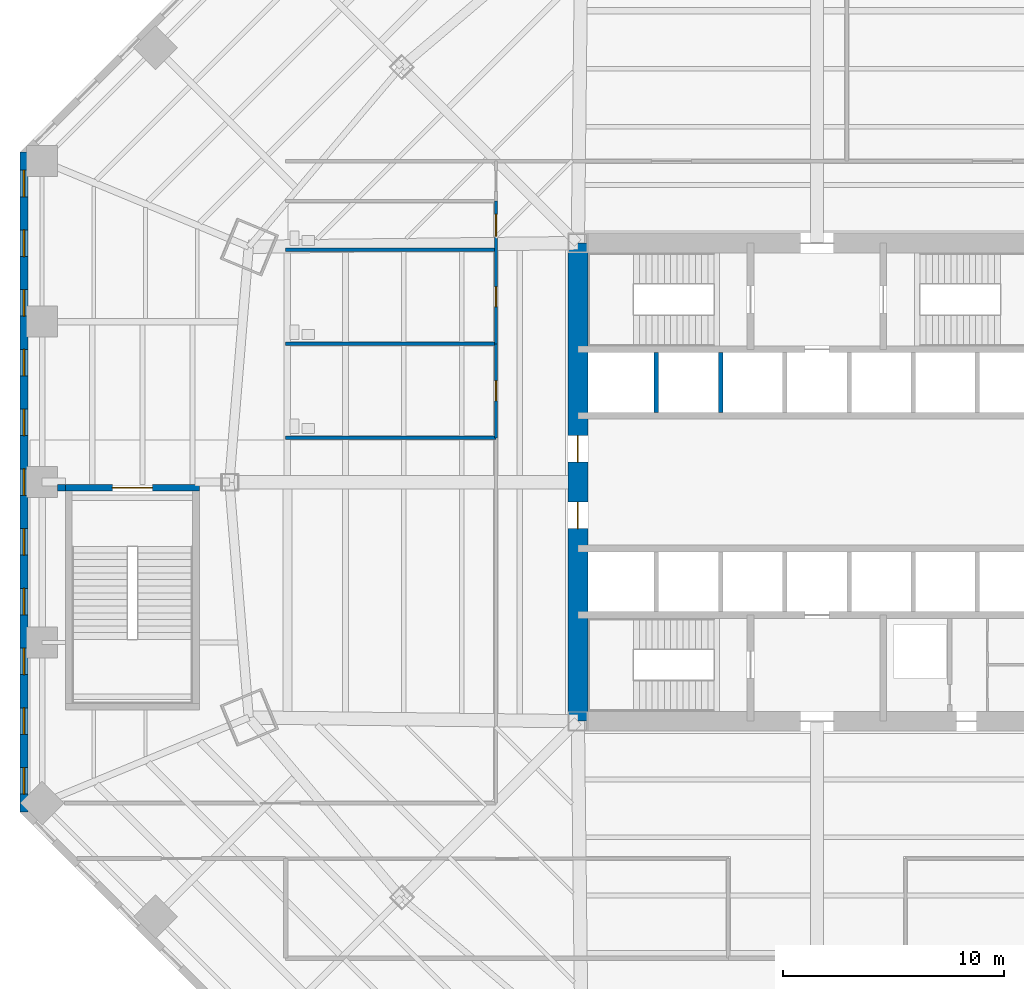
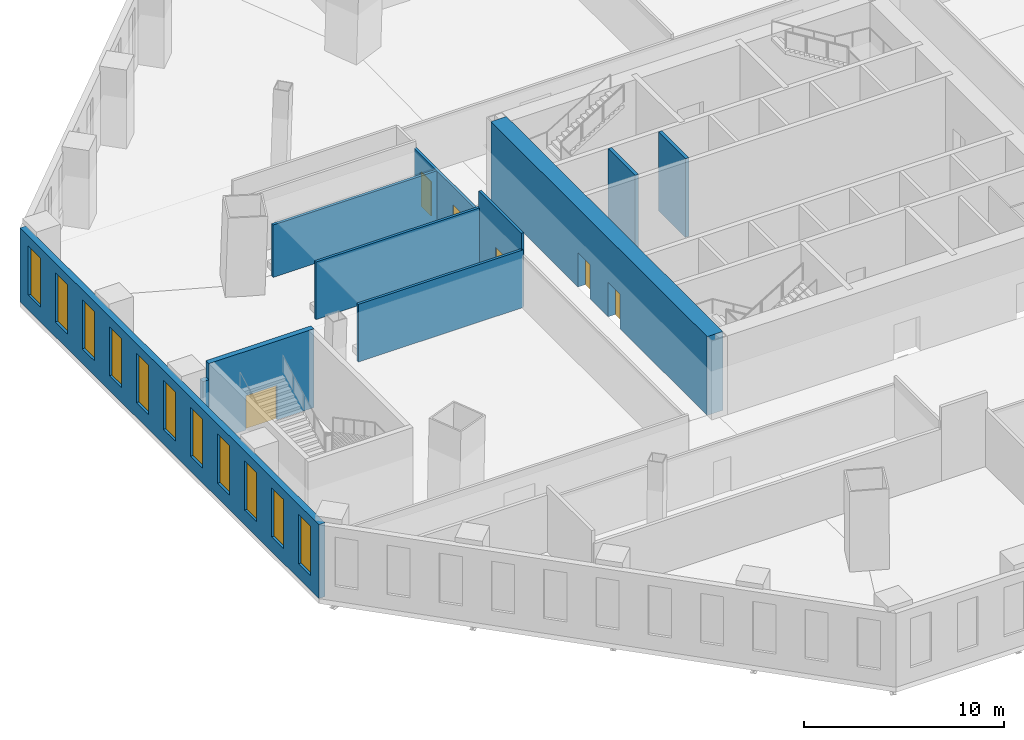
# One storey, part 11 of 19: 11 walls, 11 windows, 6 doors, 17 openings.
"""IFC4 building model written with IfcOpenShell, lengths in metres."""

import ifcopenshell
import ifcopenshell.guid

model = None  # the IFC model being written
_history = None  # IfcOwnerHistory: only IFC2X3 demands one
_inside = {}  # id of a spatial element -> (the spatial element, [elements in it])
_under = {}  # id of a project, library or spatial element -> (it, [spatial elements below it])
_declared = {}  # id of a project -> (the project, [libraries it declares])
_typed = {}  # id of a type object -> (the type object, [elements of that type])
_made_of = {}  # id of a material, layer set ... -> (it, [elements and type objects made of it])


def new_model(schema):
    """Start an empty IFC model of exactly this schema.

    Asked for "IFC4X3", IfcOpenShell would pick the latest addendum, in which some entities
    have other attributes; the version numbers below select the first issue.
    IFC2X3 requires an IfcOwnerHistory on every rooted entity: one is made here for all.
    """
    global model, _history
    if schema == "IFC4X3":
        model = ifcopenshell.file(schema_version=(4, 3, 0, 0))
    else:
        model = ifcopenshell.file(schema=schema)
    _inside.clear()
    _under.clear()
    _declared.clear()
    _typed.clear()
    _made_of.clear()
    _history = None
    if model.schema == "IFC2X3":
        org = make("IfcOrganization", Name="unknown")
        user = make(
            "IfcPersonAndOrganization",
            ThePerson=make("IfcPerson", FamilyName="unknown"),
            TheOrganization=org,
        )
        app = make(
            "IfcApplication",
            ApplicationDeveloper=org,
            Version="unknown",
            ApplicationFullName="unknown",
            ApplicationIdentifier="unknown",
        )
        _history = make(
            "IfcOwnerHistory",
            OwningUser=user,
            OwningApplication=app,
            ChangeAction="ADDED",
            CreationDate=0,
        )
    return model


def make(cls, **values):
    """One entity of the class cls with the attributes given. An attribute that is None is left unset."""
    return model.create_entity(
        cls, **{name: value for name, value in values.items() if value is not None}
    )


def rooted(cls, **values):
    """An entity with a GlobalId (a new one), such as an element, a storey or a relation."""
    return make(cls, GlobalId=ifcopenshell.guid.new(), OwnerHistory=_history, **values)


def si_unit(unit_type, name, prefix=None):
    """IfcSIUnit, for example si_unit("LENGTHUNIT", "METRE", prefix="MILLI")."""
    return make("IfcSIUnit", UnitType=unit_type, Prefix=prefix, Name=name)


def assignment(units):
    """IfcUnitAssignment: the units of a project."""
    return None if units is None else make("IfcUnitAssignment", Units=units)


def point(xyz):
    """IfcCartesianPoint."""
    return None if xyz is None else make("IfcCartesianPoint", Coordinates=xyz)


def direction(xyz):
    """IfcDirection."""
    return None if xyz is None else make("IfcDirection", DirectionRatios=xyz)


def frame(location, z_axis=None, x_axis=None):
    """IfcAxis2Placement3D, a coordinate frame: its origin and axes. An axis left out is left unset."""
    return make(
        "IfcAxis2Placement3D",
        Location=point(location),
        Axis=direction(z_axis),
        RefDirection=direction(x_axis),
    )


def frame_2d(location, x_axis=None):
    """IfcAxis2Placement2D, a coordinate frame in the plane: its origin and x axis."""
    return make(
        "IfcAxis2Placement2D", Location=point(location), RefDirection=direction(x_axis)
    )


def origin():
    """The frame at (0, 0, 0) with its axes left unset."""
    return frame((0.0, 0.0, 0.0))


def place(relative_to, where):
    """IfcLocalPlacement: puts the frame where relative to a parent placement (None: the world)."""
    return make(
        "IfcLocalPlacement", PlacementRelTo=relative_to, RelativePlacement=where
    )


def context(
    kind, dimensions, precision=None, world=None, true_north=None, identifier=None
):
    """IfcGeometricRepresentationContext, for example the 3D "Model" context."""
    return make(
        "IfcGeometricRepresentationContext",
        ContextIdentifier=identifier,
        ContextType=kind,
        CoordinateSpaceDimension=dimensions,
        Precision=precision,
        WorldCoordinateSystem=world,
        TrueNorth=true_north,
    )


def subcontext(parent, identifier, kind, view, scale=None):
    """IfcGeometricRepresentationSubContext, for example "Body" below "Model"."""
    return make(
        "IfcGeometricRepresentationSubContext",
        ContextIdentifier=identifier,
        ContextType=kind,
        ParentContext=parent,
        TargetScale=scale,
        TargetView=view,
    )


def project(units=None, contexts=None):
    """IfcProject with its units and contexts."""
    return rooted(
        "IfcProject",
        Name="project",
        RepresentationContexts=contexts,
        UnitsInContext=assignment(units),
    )


def spatial(cls, under=None, at=None, **own):
    """A site, building, storey or space (cls), placed at a placement, below another one or the project."""
    s = rooted(cls, ObjectPlacement=at, **own)
    if under is not None:
        _under.setdefault(under.id(), (under, []))[1].append(s)
    return s


def profile(cls, at=None, kind="AREA", **sizes):
    """A parametric profile (cls). Its sizes go by their IFC names, for example OverallWidth=200.0."""
    return make(cls, ProfileType=kind, Position=at, **sizes)


def rectangle(**sizes):
    """IfcRectangleProfileDef."""
    return profile("IfcRectangleProfileDef", **sizes)


def extrude(swept, where, along, depth):
    """IfcExtrudedAreaSolid: the profile swept, set in the frame where, extruded along a direction by depth."""
    return make(
        "IfcExtrudedAreaSolid",
        SweptArea=swept,
        Position=where,
        ExtrudedDirection=direction(along),
        Depth=depth,
    )


def shape(context_of_items, identifier, shape_type, items):
    """IfcShapeRepresentation: the items that make up one representation, for example the "Body"."""
    return make(
        "IfcShapeRepresentation",
        ContextOfItems=context_of_items,
        RepresentationIdentifier=identifier,
        RepresentationType=shape_type,
        Items=items,
    )


def material(Name=None, Category=None):
    """IfcMaterial."""
    return make("IfcMaterial", Name=Name, Category=Category)


def layer(
    of_material, thickness, ventilated=None, Name=None, Category=None, Priority=None
):
    """IfcMaterialLayer: one layer of a wall or slab, of a material (None: an air gap)."""
    return make(
        "IfcMaterialLayer",
        Material=of_material,
        LayerThickness=thickness,
        IsVentilated=ventilated,
        Name=Name,
        Category=Category,
        Priority=Priority,
    )


def layer_set(layers, Name=None):
    """IfcMaterialLayerSet."""
    return make("IfcMaterialLayerSet", MaterialLayers=layers, LayerSetName=Name)


def made_of(thing, what):
    """Note that an element or type object is made of a material, layer set ...; save() writes the relation."""
    if what is not None:
        _made_of.setdefault(what.id(), (what, []))[1].append(thing)
    return thing


def type_object(cls, material=None, **own):
    """A type object (cls), such as IfcWallType, which elements share."""
    return made_of(rooted(cls, **own), material)


def element(
    cls,
    number,
    at=None,
    inside=None,
    cuts=None,
    type_object=None,
    material=None,
    context=None,
    identifier="Body",
    shape_type=None,
    held_by="IfcProductDefinitionShape",
    body=None,
    shapes=None,
    **own,
):
    """One element of the class cls, such as IfcWall. Its Tag is "e" and its number.

    at: its placement. inside: the storey or other place that contains it. cuts: it is an
    opening in that element (IfcRelVoidsElement). A single representation is given by context,
    identifier, shape_type and body (its items); several are given by shapes. held_by: the class
    of the entity that holds the representations. save() writes the other relations.
    """
    e = rooted(cls, Tag="e%d" % number, ObjectPlacement=at, **own)
    if body is not None:
        shapes = [shape(context, identifier, shape_type, body)]
    if shapes is not None:
        e.Representation = make(held_by, Representations=shapes)
    if inside is not None:
        _inside.setdefault(inside.id(), (inside, []))[1].append(e)
    if cuts is not None:
        rooted(
            "IfcRelVoidsElement", RelatingBuildingElement=cuts, RelatedOpeningElement=e
        )
    if type_object is not None:
        _typed.setdefault(type_object.id(), (type_object, []))[1].append(e)
    return made_of(e, material)


def fill(opening, filler):
    """IfcRelFillsElement: the door or window that sits in an opening."""
    return rooted(
        "IfcRelFillsElement",
        RelatingOpeningElement=opening,
        RelatedBuildingElement=filler,
    )


def aggregate(whole, parts):
    """IfcRelAggregates: a whole, such as a stair, and the parts it consists of."""
    return rooted("IfcRelAggregates", RelatingObject=whole, RelatedObjects=parts)


def save(model, path):
    """Write the relations noted so far, then the file.

    IfcRelAggregates (storeys below a building ...), IfcRelContainedInSpatialStructure (elements
    in a storey), IfcRelDefinesByType, IfcRelAssociatesMaterial and IfcRelDeclares: one each for
    every whole, place, type object, material and project.
    """
    for whole, parts in _under.values():
        aggregate(whole, parts)
    for where, things in _inside.values():
        rooted(
            "IfcRelContainedInSpatialStructure",
            RelatedElements=things,
            RelatingStructure=where,
        )
    for kind, things in _typed.values():
        rooted("IfcRelDefinesByType", RelatedObjects=things, RelatingType=kind)
    for what, things in _made_of.values():
        rooted("IfcRelAssociatesMaterial", RelatedObjects=things, RelatingMaterial=what)
    for by, libraries in _declared.values():
        rooted("IfcRelDeclares", RelatingContext=by, RelatedDefinitions=libraries)
    model.write(path)


model = new_model("IFC4")

# Units and contexts
model_context = context("Model", 3, precision=1e-05, world=origin(), true_north=direction((0.0, 1.0)))
body_context = subcontext(model_context, "Body", "Model", "MODEL_VIEW")
ifc_project = project(units=[si_unit("LENGTHUNIT", "METRE"), si_unit("AREAUNIT", "SQUARE_METRE"), si_unit("VOLUMEUNIT", "CUBIC_METRE"), si_unit("PLANEANGLEUNIT", "RADIAN"), si_unit("MASSUNIT", "GRAM", prefix="KILO")], contexts=[model_context])

# Site, building, storey
site_placement = place(None, origin())
site = spatial("IfcSite", under=ifc_project, at=site_placement, CompositionType="ELEMENT")
building_placement = place(site_placement, origin())
building = spatial("IfcBuilding", under=site, at=building_placement, Name="Mashrafa Tower", CompositionType="ELEMENT")
storey_placement = place(building_placement, frame((0.0, 0.0, 24.0)))
storey = spatial("IfcBuildingStorey", under=building, at=storey_placement, Name="L04", CompositionType="ELEMENT", Elevation=24.0)

# Wall, openings, doors
ifc_material_1 = material(Name="Concrete C60/75", Category="concrete")
ifc_layer_1 = layer(ifc_material_1, 0.89990234375)
ifc_layer_set_1 = layer_set([ifc_layer_1], Name="Core wall 900 C60/75")
wall_type_1 = type_object("IfcWallType", Name="Core wall 900 C60/75", PredefinedType="SOLIDWALL", material=ifc_layer_set_1)
wall_1_placement = place(storey_placement, frame((-10.800048828125, 10.800048828125, 0.0), z_axis=(0.0, 0.0, 1.0), x_axis=(0.0, -1.0, 0.0)))
wall_1 = element("IfcWall", 1, at=wall_1_placement, inside=storey, type_object=wall_type_1, Name="Core wall CW-W L04", PredefinedType="SOLIDWALL", context=body_context, shape_type="SweptSolid", body=[
    extrude(rectangle(XDim=21.60009765625, YDim=0.89990234375, at=frame_2d((10.800048828125, 0.0))), origin(), (0.0, 0.0, 1.0), 4.800048828125),
])
opening_1_placement = place(wall_1_placement, frame((8.699951171875, 0.0, 0.0)))
opening_1 = element("IfcOpeningElement", 2, at=opening_1_placement, cuts=wall_1, Name="Opening 04.014", PredefinedType="OPENING", context=body_context, shape_type="SweptSolid", body=[
    extrude(rectangle(XDim=1.199951171875, YDim=2.10009765625, at=frame_2d((0.60009765625, 1.050048828125))), frame((0.0, 0.4599609375, 0.0), z_axis=(0.0, -1.0, 0.0), x_axis=(1.0, 0.0, 0.0)), (0.0, 0.0, 1.0), 0.919921875),
])
opening_2_placement = place(wall_1_placement, frame((11.699951171875, 0.0, 0.0)))
opening_2 = element("IfcOpeningElement", 3, at=opening_2_placement, cuts=wall_1, Name="Opening 04.016", PredefinedType="OPENING", context=body_context, shape_type="SweptSolid", body=[
    extrude(rectangle(XDim=1.199951171875, YDim=2.10009765625, at=frame_2d((0.60009765625, 1.050048828125))), frame((0.0, 0.4599609375, 0.0), z_axis=(0.0, -1.0, 0.0), x_axis=(1.0, 0.0, 0.0)), (0.0, 0.0, 1.0), 0.919921875),
])
ifc_material_2 = material(Name="Steel door", Category="steel")
door_type_1 = type_object("IfcDoorType", Name="Lift hall door 1200 x 2100 90 min", OperationType="USERDEFINED", PredefinedType="DOOR", material=ifc_material_2)
door_1_placement = place(opening_1_placement, frame((1.199951171875, 0.0, 0.0), z_axis=(0.0, 0.0, 1.0), x_axis=(-1.0, 0.0, 0.0)))
door_1 = element("IfcDoor", 4, at=door_1_placement, inside=storey, type_object=door_type_1, Name="Lift hall door west L04", OperationType="SINGLE_SWING_RIGHT", OverallHeight=2.10009765625, OverallWidth=1.199951171875, PredefinedType="DOOR", context=body_context, shape_type="SweptSolid", body=[
    extrude(rectangle(XDim=1.199951171875, YDim=2.10009765625, at=frame_2d((0.60009765625, 1.050048828125))), frame((0.0, 0.02490234375, 0.0), z_axis=(0.0, -1.0, 0.0), x_axis=(1.0, 0.0, 0.0)), (0.0, 0.0, 1.0), 0.050048828125),
])
fill(opening_1, door_1)
door_2_placement = place(opening_2_placement, frame((1.199951171875, 0.0, 0.0), z_axis=(0.0, 0.0, 1.0), x_axis=(-1.0, 0.0, 0.0)))
door_2 = element("IfcDoor", 5, at=door_2_placement, inside=storey, type_object=door_type_1, Name="Lift hall door west L04", OperationType="SINGLE_SWING_LEFT", OverallHeight=2.10009765625, OverallWidth=1.199951171875, PredefinedType="DOOR", context=body_context, shape_type="SweptSolid", body=[
    extrude(rectangle(XDim=1.199951171875, YDim=2.10009765625, at=frame_2d((0.60009765625, 1.050048828125))), frame((0.0, 0.02490234375, 0.0), z_axis=(0.0, -1.0, 0.0), x_axis=(1.0, 0.0, 0.0)), (0.0, 0.0, 1.0), 0.050048828125),
])
fill(opening_2, door_2)

# Wall, opening, door
ifc_material_3 = material(Name="Gypsum board on steel studs", Category="steel")
ifc_layer_2 = layer(ifc_material_3, 0.14990234375)
ifc_layer_set_2 = layer_set([ifc_layer_2], Name="Corridor partition 150 1 hr")
wall_type_2 = type_object("IfcWallType", Name="Corridor partition 150 1 hr", PredefinedType="PARTITIONING", material=ifc_layer_set_2)
wall_2_placement = place(storey_placement, frame((-14.5, 2.0, 0.0), z_axis=(0.0, 0.0, 1.0), x_axis=(0.0, 1.0, 0.0)))
wall_2 = element("IfcWall", 6, at=wall_2_placement, inside=storey, type_object=wall_type_2, Name="Corridor wall L04-003", PredefinedType="PARTITIONING", context=body_context, shape_type="SweptSolid", body=[
    extrude(rectangle(XDim=4.25, YDim=0.14990234375, at=frame_2d((2.125, 0.0))), origin(), (0.0, 0.0, 1.0), 4.5),
])
opening_3_placement = place(wall_2_placement, frame((1.675048828125, 0.0, 0.0)))
opening_3 = element("IfcOpeningElement", 7, at=opening_3_placement, cuts=wall_2, Name="Opening 04.001", PredefinedType="OPENING", context=body_context, shape_type="SweptSolid", body=[
    extrude(rectangle(XDim=0.89990234375, YDim=2.10009765625, at=frame_2d((0.449951171875, 1.050048828125))), frame((0.0, 0.0849609375, 0.0), z_axis=(0.0, -1.0, 0.0), x_axis=(1.0, 0.0, 0.0)), (0.0, 0.0, 1.0), 0.169921875),
])
ifc_material_4 = material(Name="Timber door", Category="wood")
door_type_2 = type_object("IfcDoorType", Name="Toilet door 900 x 2100", OperationType="USERDEFINED", PredefinedType="DOOR", material=ifc_material_4)
door_3_placement = place(opening_3_placement, origin())
door_3 = element("IfcDoor", 8, at=door_3_placement, inside=storey, type_object=door_type_2, Name="WC Female L04 door", OperationType="SINGLE_SWING_LEFT", OverallHeight=2.10009765625, OverallWidth=0.89990234375, PredefinedType="DOOR", context=body_context, shape_type="SweptSolid", body=[
    extrude(rectangle(XDim=0.89990234375, YDim=2.10009765625, at=frame_2d((0.449951171875, 1.050048828125))), frame((0.0, 0.02490234375, 0.0), z_axis=(0.0, -1.0, 0.0), x_axis=(1.0, 0.0, 0.0)), (0.0, 0.0, 1.0), 0.050048828125),
])
fill(opening_3, door_3)

# Wall, openings, doors
wall_3_placement = place(storey_placement, frame((-14.5, 6.25, 0.0), z_axis=(0.0, 0.0, 1.0), x_axis=(0.0, 1.0, 0.0)))
wall_3 = element("IfcWall", 9, at=wall_3_placement, inside=storey, type_object=wall_type_2, Name="Corridor wall L04-005", PredefinedType="PARTITIONING", context=body_context, shape_type="SweptSolid", body=[
    extrude(rectangle(XDim=6.449951171875, YDim=0.14990234375, at=frame_2d((3.22509765625, 0.0))), origin(), (0.0, 0.0, 1.0), 3.18994140625),
])
opening_4_placement = place(wall_3_placement, frame((1.675048828125, 0.0, 0.0)))
opening_4 = element("IfcOpeningElement", 10, at=opening_4_placement, cuts=wall_3, Name="Opening 04.002", PredefinedType="OPENING", context=body_context, shape_type="SweptSolid", body=[
    extrude(rectangle(XDim=0.89990234375, YDim=2.10009765625, at=frame_2d((0.449951171875, 1.050048828125))), frame((0.0, 0.0849609375, 0.0), z_axis=(0.0, -1.0, 0.0), x_axis=(1.0, 0.0, 0.0)), (0.0, 0.0, 1.0), 0.169921875),
])
opening_5_placement = place(wall_3_placement, frame((4.85009765625, 0.0, 0.0)))
opening_5 = element("IfcOpeningElement", 11, at=opening_5_placement, cuts=wall_3, Name="Opening 04.003", PredefinedType="OPENING", context=body_context, shape_type="SweptSolid", body=[
    extrude(rectangle(XDim=1.0, YDim=2.10009765625, at=frame_2d((0.5, 1.050048828125))), frame((0.0, 0.0849609375, 0.0), z_axis=(0.0, -1.0, 0.0), x_axis=(1.0, 0.0, 0.0)), (0.0, 0.0, 1.0), 0.169921875),
])
ifc_material_5 = material(Name="Timber door", Category="wood")
door_type_3 = type_object("IfcDoorType", Name="Accessible toilet door 1000 x 2100", OperationType="USERDEFINED", PredefinedType="DOOR", material=ifc_material_5)
door_4_placement = place(opening_5_placement, origin())
door_4 = element("IfcDoor", 12, at=door_4_placement, inside=storey, type_object=door_type_3, Name="Accessible WC L04 door", OperationType="SINGLE_SWING_LEFT", OverallHeight=2.10009765625, OverallWidth=1.0, PredefinedType="DOOR", context=body_context, shape_type="SweptSolid", body=[
    extrude(rectangle(XDim=1.0, YDim=2.10009765625, at=frame_2d((0.5, 1.050048828125))), frame((0.0, 0.02490234375, 0.0), z_axis=(0.0, -1.0, 0.0), x_axis=(1.0, 0.0, 0.0)), (0.0, 0.0, 1.0), 0.050048828125),
])
fill(opening_5, door_4)
door_5_placement = place(opening_4_placement, origin())
door_5 = element("IfcDoor", 13, at=door_5_placement, inside=storey, type_object=door_type_2, Name="WC Male L04 door", OperationType="SINGLE_SWING_LEFT", OverallHeight=2.10009765625, OverallWidth=0.89990234375, PredefinedType="DOOR", context=body_context, shape_type="SweptSolid", body=[
    extrude(rectangle(XDim=0.89990234375, YDim=2.10009765625, at=frame_2d((0.449951171875, 1.050048828125))), frame((0.0, 0.02490234375, 0.0), z_axis=(0.0, -1.0, 0.0), x_axis=(1.0, 0.0, 0.0)), (0.0, 0.0, 1.0), 0.050048828125),
])
fill(opening_4, door_5)

# Wall, openings, windows
ifc_material_6 = material(Name="Riyadh limestone cladding on blockwork", Category="masonry")
ifc_layer_3 = layer(ifc_material_6, 0.35009765625)
ifc_layer_set_3 = layer_set([ifc_layer_3], Name="Limestone-clad external wall 350")
wall_type_3 = type_object("IfcWallType", Name="Limestone-clad external wall 350", PredefinedType="SOLIDWALL", material=ifc_layer_set_3)
wall_4_placement = place(storey_placement, frame((-35.824951171875, 14.91162109375, 0.0), z_axis=(0.0, 0.0, 1.0), x_axis=(0.0, -1.0, 0.0)))
wall_4 = element("IfcWall", 14, at=wall_4_placement, inside=storey, type_object=wall_type_3, Name="Limestone-clad external wall L04 west", PredefinedType="SOLIDWALL", context=body_context, shape_type="SweptSolid", body=[
    extrude(rectangle(XDim=29.8232421875, YDim=0.35009765625, at=frame_2d((14.91162109375, 0.0))), origin(), (0.0, 0.0, 1.0), 4.5),
])
opening_6_placement = place(wall_4_placement, frame((0.821533203125, 0.0, 0.89990234375)))
opening_6 = element("IfcOpeningElement", 15, at=opening_6_placement, cuts=wall_4, Name="Opening W3", PredefinedType="OPENING", context=body_context, shape_type="SweptSolid", body=[
    extrude(rectangle(XDim=1.199951171875, YDim=3.0, at=frame_2d((0.60009765625, 1.5))), frame((0.0, 0.18505859375, 0.0), z_axis=(0.0, -1.0, 0.0), x_axis=(1.0, 0.0, 0.0)), (0.0, 0.0, 1.0), 0.3701171875),
])
opening_7_placement = place(wall_4_placement, frame((3.51953125, 0.0, 0.89990234375)))
opening_7 = element("IfcOpeningElement", 16, at=opening_7_placement, cuts=wall_4, Name="Opening W3", PredefinedType="OPENING", context=body_context, shape_type="SweptSolid", body=[
    extrude(rectangle(XDim=1.199951171875, YDim=3.0, at=frame_2d((0.60009765625, 1.5))), frame((0.0, 0.18505859375, 0.0), z_axis=(0.0, -1.0, 0.0), x_axis=(1.0, 0.0, 0.0)), (0.0, 0.0, 1.0), 0.3701171875),
])
opening_8_placement = place(wall_4_placement, frame((6.217529296875, 0.0, 0.89990234375)))
opening_8 = element("IfcOpeningElement", 17, at=opening_8_placement, cuts=wall_4, Name="Opening W3", PredefinedType="OPENING", context=body_context, shape_type="SweptSolid", body=[
    extrude(rectangle(XDim=1.199951171875, YDim=3.0, at=frame_2d((0.60009765625, 1.5))), frame((0.0, 0.18505859375, 0.0), z_axis=(0.0, -1.0, 0.0), x_axis=(1.0, 0.0, 0.0)), (0.0, 0.0, 1.0), 0.3701171875),
])
opening_9_placement = place(wall_4_placement, frame((8.91552734375, 0.0, 0.89990234375)))
opening_9 = element("IfcOpeningElement", 18, at=opening_9_placement, cuts=wall_4, Name="Opening W3", PredefinedType="OPENING", context=body_context, shape_type="SweptSolid", body=[
    extrude(rectangle(XDim=1.199951171875, YDim=3.0, at=frame_2d((0.60009765625, 1.5))), frame((0.0, 0.18505859375, 0.0), z_axis=(0.0, -1.0, 0.0), x_axis=(1.0, 0.0, 0.0)), (0.0, 0.0, 1.0), 0.3701171875),
])
opening_10_placement = place(wall_4_placement, frame((11.61376953125, 0.0, 0.89990234375)))
opening_10 = element("IfcOpeningElement", 19, at=opening_10_placement, cuts=wall_4, Name="Opening W3", PredefinedType="OPENING", context=body_context, shape_type="SweptSolid", body=[
    extrude(rectangle(XDim=1.199951171875, YDim=3.0, at=frame_2d((0.60009765625, 1.5))), frame((0.0, 0.18505859375, 0.0), z_axis=(0.0, -1.0, 0.0), x_axis=(1.0, 0.0, 0.0)), (0.0, 0.0, 1.0), 0.3701171875),
])
opening_11_placement = place(wall_4_placement, frame((14.311767578125, 0.0, 0.89990234375)))
opening_11 = element("IfcOpeningElement", 20, at=opening_11_placement, cuts=wall_4, Name="Opening W3", PredefinedType="OPENING", context=body_context, shape_type="SweptSolid", body=[
    extrude(rectangle(XDim=1.199951171875, YDim=3.0, at=frame_2d((0.60009765625, 1.5))), frame((0.0, 0.18505859375, 0.0), z_axis=(0.0, -1.0, 0.0), x_axis=(1.0, 0.0, 0.0)), (0.0, 0.0, 1.0), 0.3701171875),
])
opening_12_placement = place(wall_4_placement, frame((17.009765625, 0.0, 0.89990234375)))
opening_12 = element("IfcOpeningElement", 21, at=opening_12_placement, cuts=wall_4, Name="Opening W3", PredefinedType="OPENING", context=body_context, shape_type="SweptSolid", body=[
    extrude(rectangle(XDim=1.199951171875, YDim=3.0, at=frame_2d((0.60009765625, 1.5))), frame((0.0, 0.18505859375, 0.0), z_axis=(0.0, -1.0, 0.0), x_axis=(1.0, 0.0, 0.0)), (0.0, 0.0, 1.0), 0.3701171875),
])
opening_13_placement = place(wall_4_placement, frame((19.707763671875, 0.0, 0.89990234375)))
opening_13 = element("IfcOpeningElement", 22, at=opening_13_placement, cuts=wall_4, Name="Opening W3", PredefinedType="OPENING", context=body_context, shape_type="SweptSolid", body=[
    extrude(rectangle(XDim=1.199951171875, YDim=3.0, at=frame_2d((0.60009765625, 1.5))), frame((0.0, 0.18505859375, 0.0), z_axis=(0.0, -1.0, 0.0), x_axis=(1.0, 0.0, 0.0)), (0.0, 0.0, 1.0), 0.3701171875),
])
opening_14_placement = place(wall_4_placement, frame((22.40576171875, 0.0, 0.89990234375)))
opening_14 = element("IfcOpeningElement", 23, at=opening_14_placement, cuts=wall_4, Name="Opening W3", PredefinedType="OPENING", context=body_context, shape_type="SweptSolid", body=[
    extrude(rectangle(XDim=1.199951171875, YDim=3.0, at=frame_2d((0.60009765625, 1.5))), frame((0.0, 0.18505859375, 0.0), z_axis=(0.0, -1.0, 0.0), x_axis=(1.0, 0.0, 0.0)), (0.0, 0.0, 1.0), 0.3701171875),
])
opening_15_placement = place(wall_4_placement, frame((25.103759765625, 0.0, 0.89990234375)))
opening_15 = element("IfcOpeningElement", 24, at=opening_15_placement, cuts=wall_4, Name="Opening W3", PredefinedType="OPENING", context=body_context, shape_type="SweptSolid", body=[
    extrude(rectangle(XDim=1.199951171875, YDim=3.0, at=frame_2d((0.60009765625, 1.5))), frame((0.0, 0.18505859375, 0.0), z_axis=(0.0, -1.0, 0.0), x_axis=(1.0, 0.0, 0.0)), (0.0, 0.0, 1.0), 0.3701171875),
])
opening_16_placement = place(wall_4_placement, frame((27.8017578125, 0.0, 0.89990234375)))
opening_16 = element("IfcOpeningElement", 25, at=opening_16_placement, cuts=wall_4, Name="Opening W3", PredefinedType="OPENING", context=body_context, shape_type="SweptSolid", body=[
    extrude(rectangle(XDim=1.199951171875, YDim=3.0, at=frame_2d((0.60009765625, 1.5))), frame((0.0, 0.18505859375, 0.0), z_axis=(0.0, -1.0, 0.0), x_axis=(1.0, 0.0, 0.0)), (0.0, 0.0, 1.0), 0.3701171875),
])
ifc_material_7 = material(Name="Bronze-framed insulated glazing", Category="glass")
window_type = type_object("IfcWindowType", Name="Tall punched window 1200 x 3000", PartitioningType="DOUBLE_PANEL_HORIZONTAL", PredefinedType="WINDOW", material=ifc_material_7)
window_1_placement = place(opening_6_placement, origin())
window_1 = element("IfcWindow", 26, at=window_1_placement, inside=storey, type_object=window_type, Name="Window W3 L04 west bay 1", OverallHeight=3.0, OverallWidth=1.199951171875, PartitioningType="SINGLE_PANEL", PredefinedType="WINDOW", context=body_context, shape_type="SweptSolid", body=[
    extrude(rectangle(XDim=1.199951171875, YDim=3.0, at=frame_2d((0.60009765625, 1.5))), frame((0.0, 0.030029296875, 0.0), z_axis=(0.0, -1.0, 0.0), x_axis=(1.0, 0.0, 0.0)), (0.0, 0.0, 1.0), 0.06005859375),
])
fill(opening_6, window_1)
window_2_placement = place(opening_7_placement, origin())
window_2 = element("IfcWindow", 27, at=window_2_placement, inside=storey, type_object=window_type, Name="Window W3 L04 west bay 2", OverallHeight=3.0, OverallWidth=1.199951171875, PartitioningType="SINGLE_PANEL", PredefinedType="WINDOW", context=body_context, shape_type="SweptSolid", body=[
    extrude(rectangle(XDim=1.199951171875, YDim=3.0, at=frame_2d((0.60009765625, 1.5))), frame((0.0, 0.030029296875, 0.0), z_axis=(0.0, -1.0, 0.0), x_axis=(1.0, 0.0, 0.0)), (0.0, 0.0, 1.0), 0.06005859375),
])
fill(opening_7, window_2)
window_3_placement = place(opening_8_placement, origin())
window_3 = element("IfcWindow", 28, at=window_3_placement, inside=storey, type_object=window_type, Name="Window W3 L04 west bay 3", OverallHeight=3.0, OverallWidth=1.199951171875, PartitioningType="SINGLE_PANEL", PredefinedType="WINDOW", context=body_context, shape_type="SweptSolid", body=[
    extrude(rectangle(XDim=1.199951171875, YDim=3.0, at=frame_2d((0.60009765625, 1.5))), frame((0.0, 0.030029296875, 0.0), z_axis=(0.0, -1.0, 0.0), x_axis=(1.0, 0.0, 0.0)), (0.0, 0.0, 1.0), 0.06005859375),
])
fill(opening_8, window_3)
window_4_placement = place(opening_9_placement, origin())
window_4 = element("IfcWindow", 29, at=window_4_placement, inside=storey, type_object=window_type, Name="Window W3 L04 west bay 4", OverallHeight=3.0, OverallWidth=1.199951171875, PartitioningType="SINGLE_PANEL", PredefinedType="WINDOW", context=body_context, shape_type="SweptSolid", body=[
    extrude(rectangle(XDim=1.199951171875, YDim=3.0, at=frame_2d((0.60009765625, 1.5))), frame((0.0, 0.030029296875, 0.0), z_axis=(0.0, -1.0, 0.0), x_axis=(1.0, 0.0, 0.0)), (0.0, 0.0, 1.0), 0.06005859375),
])
fill(opening_9, window_4)
window_5_placement = place(opening_10_placement, origin())
window_5 = element("IfcWindow", 30, at=window_5_placement, inside=storey, type_object=window_type, Name="Window W3 L04 west bay 5", OverallHeight=3.0, OverallWidth=1.199951171875, PartitioningType="SINGLE_PANEL", PredefinedType="WINDOW", context=body_context, shape_type="SweptSolid", body=[
    extrude(rectangle(XDim=1.199951171875, YDim=3.0, at=frame_2d((0.60009765625, 1.5))), frame((0.0, 0.030029296875, 0.0), z_axis=(0.0, -1.0, 0.0), x_axis=(1.0, 0.0, 0.0)), (0.0, 0.0, 1.0), 0.06005859375),
])
fill(opening_10, window_5)
window_6_placement = place(opening_11_placement, origin())
window_6 = element("IfcWindow", 31, at=window_6_placement, inside=storey, type_object=window_type, Name="Window W3 L04 west bay 6", OverallHeight=3.0, OverallWidth=1.199951171875, PartitioningType="SINGLE_PANEL", PredefinedType="WINDOW", context=body_context, shape_type="SweptSolid", body=[
    extrude(rectangle(XDim=1.199951171875, YDim=3.0, at=frame_2d((0.60009765625, 1.5))), frame((0.0, 0.030029296875, 0.0), z_axis=(0.0, -1.0, 0.0), x_axis=(1.0, 0.0, 0.0)), (0.0, 0.0, 1.0), 0.06005859375),
])
fill(opening_11, window_6)
window_7_placement = place(opening_12_placement, origin())
window_7 = element("IfcWindow", 32, at=window_7_placement, inside=storey, type_object=window_type, Name="Window W3 L04 west bay 7", OverallHeight=3.0, OverallWidth=1.199951171875, PartitioningType="SINGLE_PANEL", PredefinedType="WINDOW", context=body_context, shape_type="SweptSolid", body=[
    extrude(rectangle(XDim=1.199951171875, YDim=3.0, at=frame_2d((0.60009765625, 1.5))), frame((0.0, 0.030029296875, 0.0), z_axis=(0.0, -1.0, 0.0), x_axis=(1.0, 0.0, 0.0)), (0.0, 0.0, 1.0), 0.06005859375),
])
fill(opening_12, window_7)
window_8_placement = place(opening_13_placement, origin())
window_8 = element("IfcWindow", 33, at=window_8_placement, inside=storey, type_object=window_type, Name="Window W3 L04 west bay 8", OverallHeight=3.0, OverallWidth=1.199951171875, PartitioningType="SINGLE_PANEL", PredefinedType="WINDOW", context=body_context, shape_type="SweptSolid", body=[
    extrude(rectangle(XDim=1.199951171875, YDim=3.0, at=frame_2d((0.60009765625, 1.5))), frame((0.0, 0.030029296875, 0.0), z_axis=(0.0, -1.0, 0.0), x_axis=(1.0, 0.0, 0.0)), (0.0, 0.0, 1.0), 0.06005859375),
])
fill(opening_13, window_8)
window_9_placement = place(opening_14_placement, origin())
window_9 = element("IfcWindow", 34, at=window_9_placement, inside=storey, type_object=window_type, Name="Window W3 L04 west bay 9", OverallHeight=3.0, OverallWidth=1.199951171875, PartitioningType="SINGLE_PANEL", PredefinedType="WINDOW", context=body_context, shape_type="SweptSolid", body=[
    extrude(rectangle(XDim=1.199951171875, YDim=3.0, at=frame_2d((0.60009765625, 1.5))), frame((0.0, 0.030029296875, 0.0), z_axis=(0.0, -1.0, 0.0), x_axis=(1.0, 0.0, 0.0)), (0.0, 0.0, 1.0), 0.06005859375),
])
fill(opening_14, window_9)
window_10_placement = place(opening_15_placement, origin())
window_10 = element("IfcWindow", 35, at=window_10_placement, inside=storey, type_object=window_type, Name="Window W3 L04 west bay 10", OverallHeight=3.0, OverallWidth=1.199951171875, PartitioningType="SINGLE_PANEL", PredefinedType="WINDOW", context=body_context, shape_type="SweptSolid", body=[
    extrude(rectangle(XDim=1.199951171875, YDim=3.0, at=frame_2d((0.60009765625, 1.5))), frame((0.0, 0.030029296875, 0.0), z_axis=(0.0, -1.0, 0.0), x_axis=(1.0, 0.0, 0.0)), (0.0, 0.0, 1.0), 0.06005859375),
])
fill(opening_15, window_10)
window_11_placement = place(opening_16_placement, origin())
window_11 = element("IfcWindow", 36, at=window_11_placement, inside=storey, type_object=window_type, Name="Window W3 L04 west bay 11", OverallHeight=3.0, OverallWidth=1.199951171875, PartitioningType="SINGLE_PANEL", PredefinedType="WINDOW", context=body_context, shape_type="SweptSolid", body=[
    extrude(rectangle(XDim=1.199951171875, YDim=3.0, at=frame_2d((0.60009765625, 1.5))), frame((0.0, 0.030029296875, 0.0), z_axis=(0.0, -1.0, 0.0), x_axis=(1.0, 0.0, 0.0)), (0.0, 0.0, 1.0), 0.06005859375),
])
fill(opening_16, window_11)

# Walls
ifc_material_8 = material(Name="Gypsum board on steel studs", Category="steel")
ifc_layer_4 = layer(ifc_material_8, 0.14990234375)
ifc_layer_set_4 = layer_set([ifc_layer_4], Name="Partition 150")
wall_type_4 = type_object("IfcWallType", Name="Partition 150", PredefinedType="PARTITIONING", material=ifc_layer_set_4)
for number, where, z_axis, x_axis, name in (
    (37, (-14.5, 6.25, 0.0), (0.0, 0.0, 1.0), (-1.0, 0.0, 0.0), "Partition wall L04-001"),
    (38, (-24.0, 2.0, 0.0), (0.0, 0.0, 1.0), (1.0, 0.0, 0.0), "Partition wall L04-002"),
):
    element("IfcWall", number, at=place(storey_placement, frame(where, z_axis=z_axis, x_axis=x_axis)), inside=storey, type_object=wall_type_4, Name=name, PredefinedType="PARTITIONING", context=body_context, shape_type="SweptSolid", body=[
        extrude(rectangle(XDim=9.5, YDim=0.14990234375, at=frame_2d((4.75, 0.0))), origin(), (0.0, 0.0, 1.0), 3.507080078125),
    ])
wall_5_placement = place(storey_placement, frame((-14.5, 10.5, 0.0), z_axis=(0.0, 0.0, 1.0), x_axis=(-1.0, 0.0, 0.0)))
element("IfcWall", 39, at=wall_5_placement, inside=storey, type_object=wall_type_4, Name="Partition wall L04-004", PredefinedType="PARTITIONING", context=body_context, shape_type="SweptSolid", body=[
    extrude(rectangle(XDim=9.5, YDim=0.14990234375, at=frame_2d((4.75, 0.0))), origin(), (0.0, 0.0, 1.0), 3.18994140625),
])
ifc_material_9 = material(Name="Gypsum shaft wall on steel studs", Category="steel")
ifc_layer_5 = layer(ifc_material_9, 0.199951171875)
ifc_layer_set_5 = layer_set([ifc_layer_5], Name="Shaft divider wall 200 2 hr")
wall_type_5 = type_object("IfcWallType", Name="Shaft divider wall 200 2 hr", PredefinedType="PARTITIONING", material=ifc_layer_set_5)
for number, where, z_axis, x_axis, name in (
    (40, (-7.25, 3.14990234375, 0.0), (0.0, 0.0, 1.0), (0.0, 1.0, 0.0), "Shaft divider wall N1 L04"),
    (41, (-4.35009765625, 3.14990234375, 0.0), (0.0, 0.0, 1.0), (0.0, 1.0, 0.0), "Shaft divider wall N2 L04"),
):
    element("IfcWall", number, at=place(storey_placement, frame(where, z_axis=z_axis, x_axis=x_axis)), inside=storey, type_object=wall_type_5, Name=name, PredefinedType="PARTITIONING", context=body_context, shape_type="SweptSolid", body=[
        extrude(rectangle(XDim=2.7001953125, YDim=0.199951171875, at=frame_2d((1.35009765625, 0.0))), origin(), (0.0, 0.0, 1.0), 4.800048828125),
    ])

# Wall, opening, door
ifc_material_10 = material(Name="Concrete C35/45", Category="concrete")
ifc_layer_6 = layer(ifc_material_10, 0.300048828125)
ifc_layer_set_6 = layer_set([ifc_layer_6], Name="Stair core wall 300 3 hr")
wall_type_6 = type_object("IfcWallType", Name="Stair core wall 300 3 hr", PredefinedType="SOLIDWALL", material=ifc_layer_set_6)
wall_6_placement = place(storey_placement, frame((-27.89990234375, -0.25, 0.0), z_axis=(0.0, 0.0, 1.0), x_axis=(-1.0, 0.0, 0.0)))
wall_6 = element("IfcWall", 42, at=wall_6_placement, inside=storey, type_object=wall_type_6, Name="Stair P3 core wall N L04", PredefinedType="SOLIDWALL", context=body_context, shape_type="SweptSolid", body=[
    extrude(rectangle(XDim=6.050048828125, YDim=0.300048828125, at=frame_2d((3.02490234375, 0.0))), origin(), (0.0, 0.0, 1.0), 4.800048828125),
])
opening_17_placement = place(wall_6_placement, frame((2.125, 0.0, 0.0)))
opening_17 = element("IfcOpeningElement", 43, at=opening_17_placement, cuts=wall_6, Name="Opening 04.028", PredefinedType="OPENING", context=body_context, shape_type="SweptSolid", body=[
    extrude(rectangle(XDim=1.800048828125, YDim=2.10009765625, at=frame_2d((0.89990234375, 1.050048828125))), frame((0.0, 0.159912109375, 0.0), z_axis=(0.0, -1.0, 0.0), x_axis=(1.0, 0.0, 0.0)), (0.0, 0.0, 1.0), 0.320068359375),
])
ifc_material_11 = material(Name="Steel door", Category="steel")
door_type_4 = type_object("IfcDoorType", Name="Stair door pair 1800 x 2100 90 min", OperationType="DOUBLE_DOOR_SINGLE_SWING", PredefinedType="DOOR", material=ifc_material_11)
door_6_placement = place(opening_17_placement, origin())
door_6 = element("IfcDoor", 44, at=door_6_placement, inside=storey, type_object=door_type_4, Name="Stair P3 door L04", OperationType="DOUBLE_DOOR_SINGLE_SWING", OverallHeight=2.10009765625, OverallWidth=1.800048828125, PredefinedType="DOOR", context=body_context, shape_type="SweptSolid", body=[
    extrude(rectangle(XDim=1.800048828125, YDim=2.10009765625, at=frame_2d((0.89990234375, 1.050048828125))), frame((0.0, 0.02490234375, 0.0), z_axis=(0.0, -1.0, 0.0), x_axis=(1.0, 0.0, 0.0)), (0.0, 0.0, 1.0), 0.050048828125),
])
fill(opening_17, door_6)

# Wall
wall_7_placement = place(storey_placement, frame((-33.949951171875, -0.25, 0.0), z_axis=(0.0, 0.0, 1.0), x_axis=(-1.0, 0.0, 0.0)))
element("IfcWall", 45, at=wall_7_placement, inside=storey, type_object=wall_type_6, Name="Stair P3 core wall N L04 end piece 2", PredefinedType="SOLIDWALL", context=body_context, shape_type="SweptSolid", body=[
    extrude(rectangle(XDim=0.35009765625, YDim=0.300048828125, at=frame_2d((0.175048828125, 0.0))), origin(), (0.0, 0.0, 1.0), 3.816650390625),
])

save(model, "model.ifc")
